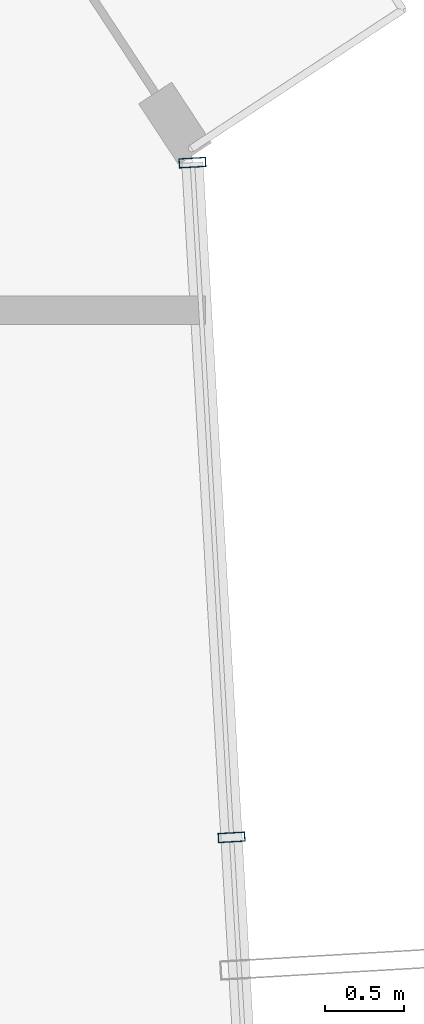
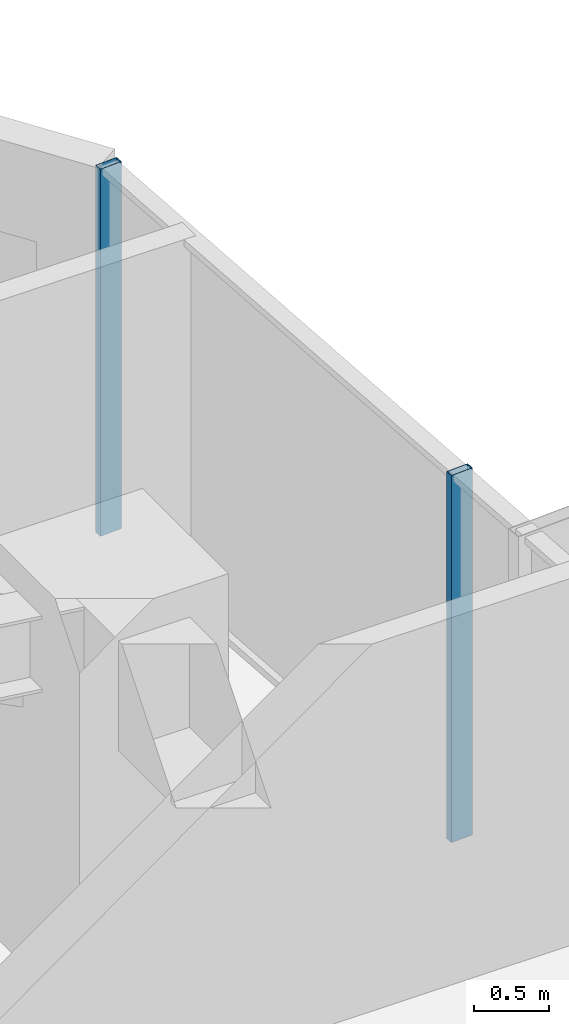
# One storey, part 17 of 33: 2 members, 1 element without a shape of its own.
"""IFC4 building model written with IfcOpenShell, lengths in metres."""

from ifc_helpers import new_model, si_unit, direction, frame, origin, origin_2d, place, context, subcontext, project, spatial, hollow_rectangle, extrude, source, transform, mapped, material, layer, layer_set, material_profile, profile_set, type_object, element, aggregate, save


model = new_model("IFC4")

# Units and contexts
model_context = context("Model", 3, precision=1e-05, world=origin(), true_north=direction((0.0, 1.0)))
body_context = subcontext(model_context, "Body", "Model", "MODEL_VIEW")
ifc_project = project(units=[si_unit("LENGTHUNIT", "METRE"), si_unit("AREAUNIT", "SQUARE_METRE"), si_unit("VOLUMEUNIT", "CUBIC_METRE"), si_unit("PLANEANGLEUNIT", "RADIAN"), si_unit("MASSUNIT", "GRAM", prefix="KILO")], contexts=[model_context])

# Site, building, storey
site_placement = place(None, origin())
site = spatial("IfcSite", under=ifc_project, at=site_placement, CompositionType="ELEMENT")
building_placement = place(site_placement, origin())
building = spatial("IfcBuilding", under=site, at=building_placement, Name="Veraguas Prism Commons", CompositionType="ELEMENT")
storey_placement = place(building_placement, frame((0.0, 0.0, 139.25)))
storey = spatial("IfcBuildingStorey", under=building, at=storey_placement, Name="L39", CompositionType="ELEMENT", Elevation=139.25)

# Curtain wall, members
ifc_material = material(Name="Anodised aluminium EN AW-6063 T6", Category="aluminium")
ifc_layer = layer(ifc_material, 0.169921875, Name="Unitised Flush Curtain Wall Zone 2", Category="aluminium")
ifc_layer_set = layer_set([ifc_layer], Name="Anodised aluminium EN AW-6063 T6")
curtain_wall_type = type_object("IfcCurtainWallType", Name="Unitised Flush Curtain Wall Zone 2", PredefinedType="NOTDEFINED", material=ifc_layer_set)
curtain_wall_placement = place(storey_placement, origin())
curtain_wall = element("IfcCurtainWall", 1, at=curtain_wall_placement, inside=storey, type_object=curtain_wall_type, Name="Tower Facade Curtain Wall L39-F6", PredefinedType="NOTDEFINED")
ifc_material_profile = material_profile(ifc_material, hollow_rectangle(XDim=0.06005859375, YDim=0.169921875, WallThickness=0.00390625, at=origin_2d()), Name="AL60X170X4")
ifc_profile_set = profile_set([ifc_material_profile], Name="Anodised aluminium EN AW-6063 T6")
member_type = type_object("IfcMemberType", Name="Curtain Wall Mullion Lower AL 60x170x4", PredefinedType="MULLION", material=ifc_profile_set)
shared_shape = source(origin(), body_context, "Body", "SweptSolid", [
    extrude(hollow_rectangle(XDim=0.06005859375, YDim=0.169921875, WallThickness=0.00390625, at=origin_2d()), origin(), (0.0, 0.0, 1.0), 3.0),
])
member_1_placement = place(storey_placement, frame((42.90087890625, 29.412353515625, 0.0), z_axis=(0.0, 0.0, 1.0), x_axis=(-0.05790728328, 0.998321965371, 0.0)))
member_1 = element("IfcMember", 2, at=member_1_placement, type_object=member_type, Name="CW-Z2 Mullion 4", PredefinedType="MULLION", context=body_context, shape_type="MappedRepresentation", body=[
    mapped(shared_shape, transform((0.0, 0.0, 0.0), scale=1.0)),
])
member_2_placement = place(storey_placement, frame((42.653076171875, 33.68359375, 0.0), z_axis=(0.0, 0.0, 1.0), x_axis=(-0.05790728328, 0.998321965371, 0.0)))
member_2 = element("IfcMember", 3, at=member_2_placement, type_object=member_type, Name="CW-Z2 Mullion 5", PredefinedType="MULLION", context=body_context, shape_type="MappedRepresentation", body=[
    mapped(shared_shape, transform((0.0, 0.0, 0.0), scale=1.0)),
])
aggregate(curtain_wall, [member_1, member_2])

save(model, "model.ifc")
